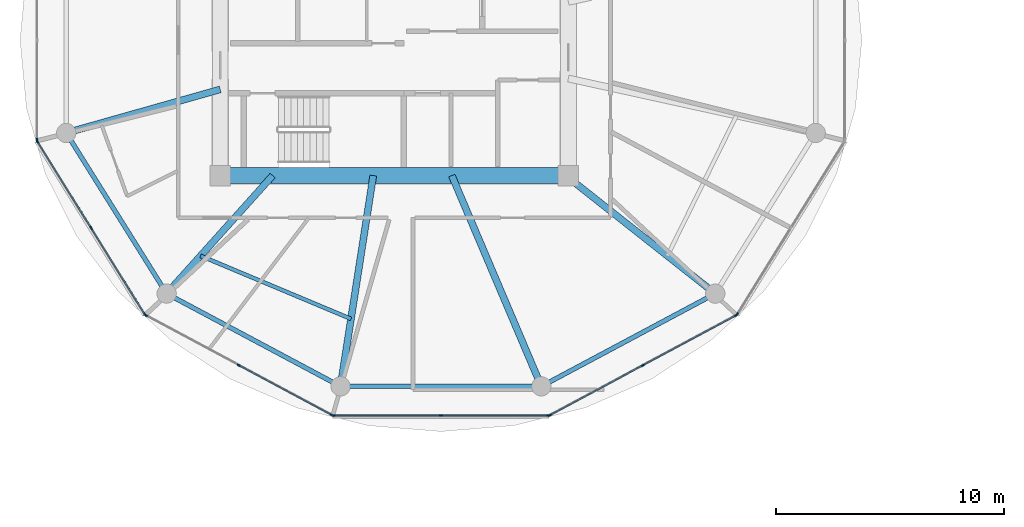
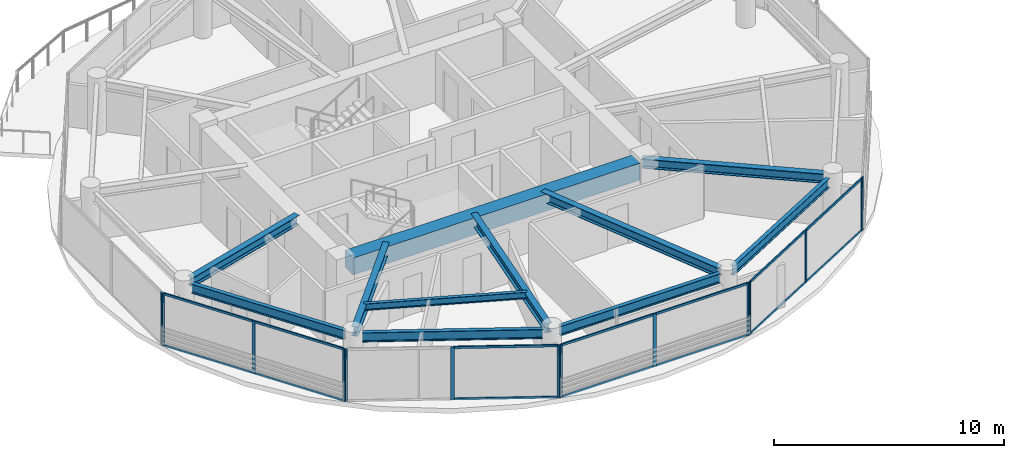
# One storey, part 2 of 23: 28 members, 11 beams, 6 elements without a shape of their own.
"""IFC4 building model written with IfcOpenShell, lengths in metres."""

import ifcopenshell
import ifcopenshell.guid

model = None  # the IFC model being written
_history = None  # IfcOwnerHistory: only IFC2X3 demands one
_inside = {}  # id of a spatial element -> (the spatial element, [elements in it])
_under = {}  # id of a project, library or spatial element -> (it, [spatial elements below it])
_declared = {}  # id of a project -> (the project, [libraries it declares])
_typed = {}  # id of a type object -> (the type object, [elements of that type])
_made_of = {}  # id of a material, layer set ... -> (it, [elements and type objects made of it])


def new_model(schema):
    """Start an empty IFC model of exactly this schema.

    Asked for "IFC4X3", IfcOpenShell would pick the latest addendum, in which some entities
    have other attributes; the version numbers below select the first issue.
    IFC2X3 requires an IfcOwnerHistory on every rooted entity: one is made here for all.
    """
    global model, _history
    if schema == "IFC4X3":
        model = ifcopenshell.file(schema_version=(4, 3, 0, 0))
    else:
        model = ifcopenshell.file(schema=schema)
    _inside.clear()
    _under.clear()
    _declared.clear()
    _typed.clear()
    _made_of.clear()
    _history = None
    if model.schema == "IFC2X3":
        org = make("IfcOrganization", Name="unknown")
        user = make(
            "IfcPersonAndOrganization",
            ThePerson=make("IfcPerson", FamilyName="unknown"),
            TheOrganization=org,
        )
        app = make(
            "IfcApplication",
            ApplicationDeveloper=org,
            Version="unknown",
            ApplicationFullName="unknown",
            ApplicationIdentifier="unknown",
        )
        _history = make(
            "IfcOwnerHistory",
            OwningUser=user,
            OwningApplication=app,
            ChangeAction="ADDED",
            CreationDate=0,
        )
    return model


def make(cls, **values):
    """One entity of the class cls with the attributes given. An attribute that is None is left unset."""
    return model.create_entity(
        cls, **{name: value for name, value in values.items() if value is not None}
    )


def rooted(cls, **values):
    """An entity with a GlobalId (a new one), such as an element, a storey or a relation."""
    return make(cls, GlobalId=ifcopenshell.guid.new(), OwnerHistory=_history, **values)


def si_unit(unit_type, name, prefix=None):
    """IfcSIUnit, for example si_unit("LENGTHUNIT", "METRE", prefix="MILLI")."""
    return make("IfcSIUnit", UnitType=unit_type, Prefix=prefix, Name=name)


def assignment(units):
    """IfcUnitAssignment: the units of a project."""
    return None if units is None else make("IfcUnitAssignment", Units=units)


def point(xyz):
    """IfcCartesianPoint."""
    return None if xyz is None else make("IfcCartesianPoint", Coordinates=xyz)


def direction(xyz):
    """IfcDirection."""
    return None if xyz is None else make("IfcDirection", DirectionRatios=xyz)


def frame(location, z_axis=None, x_axis=None):
    """IfcAxis2Placement3D, a coordinate frame: its origin and axes. An axis left out is left unset."""
    return make(
        "IfcAxis2Placement3D",
        Location=point(location),
        Axis=direction(z_axis),
        RefDirection=direction(x_axis),
    )


def frame_2d(location, x_axis=None):
    """IfcAxis2Placement2D, a coordinate frame in the plane: its origin and x axis."""
    return make(
        "IfcAxis2Placement2D", Location=point(location), RefDirection=direction(x_axis)
    )


def origin():
    """The frame at (0, 0, 0) with its axes left unset."""
    return frame((0.0, 0.0, 0.0))


def origin_2d():
    """The frame at (0, 0) in the plane with its x axis left unset."""
    return frame_2d((0.0, 0.0))


def place(relative_to, where):
    """IfcLocalPlacement: puts the frame where relative to a parent placement (None: the world)."""
    return make(
        "IfcLocalPlacement", PlacementRelTo=relative_to, RelativePlacement=where
    )


def context(
    kind, dimensions, precision=None, world=None, true_north=None, identifier=None
):
    """IfcGeometricRepresentationContext, for example the 3D "Model" context."""
    return make(
        "IfcGeometricRepresentationContext",
        ContextIdentifier=identifier,
        ContextType=kind,
        CoordinateSpaceDimension=dimensions,
        Precision=precision,
        WorldCoordinateSystem=world,
        TrueNorth=true_north,
    )


def subcontext(parent, identifier, kind, view, scale=None):
    """IfcGeometricRepresentationSubContext, for example "Body" below "Model"."""
    return make(
        "IfcGeometricRepresentationSubContext",
        ContextIdentifier=identifier,
        ContextType=kind,
        ParentContext=parent,
        TargetScale=scale,
        TargetView=view,
    )


def project(units=None, contexts=None):
    """IfcProject with its units and contexts."""
    return rooted(
        "IfcProject",
        Name="project",
        RepresentationContexts=contexts,
        UnitsInContext=assignment(units),
    )


def spatial(cls, under=None, at=None, **own):
    """A site, building, storey or space (cls), placed at a placement, below another one or the project."""
    s = rooted(cls, ObjectPlacement=at, **own)
    if under is not None:
        _under.setdefault(under.id(), (under, []))[1].append(s)
    return s


def profile(cls, at=None, kind="AREA", **sizes):
    """A parametric profile (cls). Its sizes go by their IFC names, for example OverallWidth=200.0."""
    return make(cls, ProfileType=kind, Position=at, **sizes)


def rectangle(**sizes):
    """IfcRectangleProfileDef."""
    return profile("IfcRectangleProfileDef", **sizes)


def i_section(**sizes):
    """IfcIShapeProfileDef."""
    return profile("IfcIShapeProfileDef", **sizes)


def extrude(swept, where, along, depth):
    """IfcExtrudedAreaSolid: the profile swept, set in the frame where, extruded along a direction by depth."""
    return make(
        "IfcExtrudedAreaSolid",
        SweptArea=swept,
        Position=where,
        ExtrudedDirection=direction(along),
        Depth=depth,
    )


def shape(context_of_items, identifier, shape_type, items):
    """IfcShapeRepresentation: the items that make up one representation, for example the "Body"."""
    return make(
        "IfcShapeRepresentation",
        ContextOfItems=context_of_items,
        RepresentationIdentifier=identifier,
        RepresentationType=shape_type,
        Items=items,
    )


def source(mapping_origin, context_of_items, identifier, shape_type, items):
    """IfcRepresentationMap: a shape defined once, which mapped items show again and again."""
    return make(
        "IfcRepresentationMap",
        MappingOrigin=mapping_origin,
        MappedRepresentation=shape(context_of_items, identifier, shape_type, items),
    )


def transform(
    local_origin,
    x_axis=None,
    y_axis=None,
    z_axis=None,
    scale=None,
    scale2=None,
    scale3=None,
    uniform=True,
):
    """IfcCartesianTransformationOperator3D, or its non-uniform kind. x_axis, y_axis, z_axis: its Axis1, 2, 3."""
    if uniform:
        return make(
            "IfcCartesianTransformationOperator3D",
            Axis1=direction(x_axis),
            Axis2=direction(y_axis),
            LocalOrigin=point(local_origin),
            Scale=scale,
            Axis3=direction(z_axis),
        )
    return make(
        "IfcCartesianTransformationOperator3DnonUniform",
        Axis1=direction(x_axis),
        Axis2=direction(y_axis),
        LocalOrigin=point(local_origin),
        Scale=scale,
        Axis3=direction(z_axis),
        Scale2=scale2,
        Scale3=scale3,
    )


def mapped(mapping_source, mapping_target):
    """IfcMappedItem: shows the shape of a source again, moved by a transform."""
    return make(
        "IfcMappedItem", MappingSource=mapping_source, MappingTarget=mapping_target
    )


def material(Name=None, Category=None):
    """IfcMaterial."""
    return make("IfcMaterial", Name=Name, Category=Category)


def layer(
    of_material, thickness, ventilated=None, Name=None, Category=None, Priority=None
):
    """IfcMaterialLayer: one layer of a wall or slab, of a material (None: an air gap)."""
    return make(
        "IfcMaterialLayer",
        Material=of_material,
        LayerThickness=thickness,
        IsVentilated=ventilated,
        Name=Name,
        Category=Category,
        Priority=Priority,
    )


def layer_set(layers, Name=None):
    """IfcMaterialLayerSet."""
    return make("IfcMaterialLayerSet", MaterialLayers=layers, LayerSetName=Name)


def material_profile(
    of_material, cross_section, Name=None, Category=None, Priority=None
):
    """IfcMaterialProfile: a cross section and its material."""
    return make(
        "IfcMaterialProfile",
        Name=Name,
        Material=of_material,
        Profile=cross_section,
        Priority=Priority,
        Category=Category,
    )


def profile_set(profiles, Name=None, composite=None):
    """IfcMaterialProfileSet."""
    return make(
        "IfcMaterialProfileSet",
        Name=Name,
        MaterialProfiles=profiles,
        CompositeProfile=composite,
    )


def made_of(thing, what):
    """Note that an element or type object is made of a material, layer set ...; save() writes the relation."""
    if what is not None:
        _made_of.setdefault(what.id(), (what, []))[1].append(thing)
    return thing


def type_object(cls, material=None, **own):
    """A type object (cls), such as IfcWallType, which elements share."""
    return made_of(rooted(cls, **own), material)


def type_shapes(of_type, sources):
    """Give a type object the sources (RepresentationMaps) that its elements show as mapped items."""
    of_type.RepresentationMaps = sources


def element(
    cls,
    number,
    at=None,
    inside=None,
    cuts=None,
    type_object=None,
    material=None,
    context=None,
    identifier="Body",
    shape_type=None,
    held_by="IfcProductDefinitionShape",
    body=None,
    shapes=None,
    **own,
):
    """One element of the class cls, such as IfcWall. Its Tag is "e" and its number.

    at: its placement. inside: the storey or other place that contains it. cuts: it is an
    opening in that element (IfcRelVoidsElement). A single representation is given by context,
    identifier, shape_type and body (its items); several are given by shapes. held_by: the class
    of the entity that holds the representations. save() writes the other relations.
    """
    e = rooted(cls, Tag="e%d" % number, ObjectPlacement=at, **own)
    if body is not None:
        shapes = [shape(context, identifier, shape_type, body)]
    if shapes is not None:
        e.Representation = make(held_by, Representations=shapes)
    if inside is not None:
        _inside.setdefault(inside.id(), (inside, []))[1].append(e)
    if cuts is not None:
        rooted(
            "IfcRelVoidsElement", RelatingBuildingElement=cuts, RelatedOpeningElement=e
        )
    if type_object is not None:
        _typed.setdefault(type_object.id(), (type_object, []))[1].append(e)
    return made_of(e, material)


def aggregate(whole, parts):
    """IfcRelAggregates: a whole, such as a stair, and the parts it consists of."""
    return rooted("IfcRelAggregates", RelatingObject=whole, RelatedObjects=parts)


def save(model, path):
    """Write the relations noted so far, then the file.

    IfcRelAggregates (storeys below a building ...), IfcRelContainedInSpatialStructure (elements
    in a storey), IfcRelDefinesByType, IfcRelAssociatesMaterial and IfcRelDeclares: one each for
    every whole, place, type object, material and project.
    """
    for whole, parts in _under.values():
        aggregate(whole, parts)
    for where, things in _inside.values():
        rooted(
            "IfcRelContainedInSpatialStructure",
            RelatedElements=things,
            RelatingStructure=where,
        )
    for kind, things in _typed.values():
        rooted("IfcRelDefinesByType", RelatedObjects=things, RelatingType=kind)
    for what, things in _made_of.values():
        rooted("IfcRelAssociatesMaterial", RelatedObjects=things, RelatingMaterial=what)
    for by, libraries in _declared.values():
        rooted("IfcRelDeclares", RelatingContext=by, RelatedDefinitions=libraries)
    model.write(path)


model = new_model("IFC4")

# Units and contexts
model_context = context("Model", 3, precision=1e-05, world=origin(), true_north=direction((0.0, 1.0)))
body_context = subcontext(model_context, "Body", "Model", "MODEL_VIEW")
ifc_project = project(units=[si_unit("LENGTHUNIT", "METRE"), si_unit("AREAUNIT", "SQUARE_METRE"), si_unit("VOLUMEUNIT", "CUBIC_METRE"), si_unit("PLANEANGLEUNIT", "RADIAN"), si_unit("MASSUNIT", "GRAM", prefix="KILO")], contexts=[model_context])

# Site, building, storey
site_placement = place(None, origin())
site = spatial("IfcSite", under=ifc_project, at=site_placement, CompositionType="ELEMENT")
building_placement = place(site_placement, origin())
building = spatial("IfcBuilding", under=site, at=building_placement, Name="Norrkilde Senior Care Towers", CompositionType="ELEMENT")
storey_placement = place(building_placement, frame((0.0, 0.0, 81.0)))
storey = spatial("IfcBuildingStorey", under=building, at=storey_placement, Name="L24", CompositionType="ELEMENT", Elevation=81.0)

# Beams
ifc_material_1 = material(Name="Concrete C60/75", Category="concrete")
ifc_material_profile_1 = material_profile(ifc_material_1, rectangle(XDim=0.699951171875, YDim=0.89990234375, at=origin_2d()), Name="RC BM 700x900")
ifc_profile_set_1 = profile_set([ifc_material_profile_1], Name="Concrete C60/75")
beam_type_1 = type_object("IfcBeamType", Name="Core Coupling Girder 700x900", PredefinedType="USERDEFINED", material=ifc_profile_set_1)
shared_shape_1 = source(origin(), body_context, "Body", "SweptSolid", [
    extrude(rectangle(XDim=0.699951171875, YDim=0.89990234375, at=origin_2d()), origin(), (0.0, 0.0, 1.0), 14.43994140625),
])
type_shapes(beam_type_1, [shared_shape_1])
beam_1_placement = place(storey_placement, frame((-35.219970703125, -5.949951171875, 2.340087890625), z_axis=(1.0, 0.0, 0.0), x_axis=(0.0, 1.0, 0.0)))
element("IfcBeam", 1, at=beam_1_placement, inside=storey, type_object=beam_type_1, Name="L24 Core W S Coupling Girder", ObjectType="GIRDER", PredefinedType="USERDEFINED", context=body_context, shape_type="MappedRepresentation", body=[
    mapped(shared_shape_1, transform((0.0, 0.0, 0.0), x_axis=(1.0, 0.0, 0.0), y_axis=(0.0, 1.0, 0.0), z_axis=(0.0, 0.0, 1.0), scale=1.0)),
])
ifc_material_2 = material(Name="Steel S355", Category="steel")
ifc_material_profile_2 = material_profile(ifc_material_2, i_section(OverallWidth=0.199951171875, OverallDepth=0.5, WebThickness=0.01025390625, FlangeThickness=0.01611328125, FilletRadius=0.02099609375, at=origin_2d()), Name="IPE 500")
ifc_profile_set_2 = profile_set([ifc_material_profile_2], Name="Steel S355")
beam_type_2 = type_object("IfcBeamType", Name="Perimeter Ring Spandrel Z2 IPE500", PredefinedType="SPANDREL", material=ifc_profile_set_2)
shared_shape_2 = source(origin(), body_context, "Body", "SweptSolid", [
    extrude(i_section(OverallWidth=0.199951171875, OverallDepth=0.5, WebThickness=0.01025390625, FlangeThickness=0.01611328125, FilletRadius=0.02099609375, at=origin_2d()), origin(), (0.0, 0.0, 1.0), 7.892333984375),
])
for number, where, z_axis, x_axis, name in (
    (2, (-37.66650390625, -11.318115234375, 2.5400390625), (0.882350372282, -0.47059305194, 0.0), (0.47059305194, 0.882350372282, 0.0), "L24 Drum W Perimeter Spandrel 08"),
    (3, (-21.197509765625, -15.0322265625, 2.5400390625), (0.882350372282, 0.47059305194, 0.0), (-0.47059305194, 0.882350372282, 0.0), "L24 Drum W Perimeter Spandrel 10"),
):
    element("IfcBeam", number, at=place(storey_placement, frame(where, z_axis=z_axis, x_axis=x_axis)), inside=storey, type_object=beam_type_2, Name=name, PredefinedType="SPANDREL", context=body_context, shape_type="MappedRepresentation", body=[
        mapped(shared_shape_2, transform((0.0, 0.0, 0.0), x_axis=(1.0, 0.0, 0.0), y_axis=(0.0, 1.0, 0.0), z_axis=(0.0, 0.0, 1.0), scale=1.0)),
    ])
ifc_material_profile_3 = material_profile(ifc_material_2, i_section(OverallWidth=0.300048828125, OverallDepth=0.5, WebThickness=0.014404296875, FlangeThickness=0.028076171875, FilletRadius=0.027099609375, at=origin_2d()), Name="HEB 500")
ifc_profile_set_3 = profile_set([ifc_material_profile_3], Name="Steel S355")
beam_type_3 = type_object("IfcBeamType", Name="Radial Floor Beam Z2 HEB500", PredefinedType="BEAM", material=ifc_profile_set_3)
shared_shape_3 = source(origin(), body_context, "Body", "SweptSolid", [
    extrude(i_section(OverallWidth=0.300048828125, OverallDepth=0.5, WebThickness=0.014404296875, FlangeThickness=0.028076171875, FilletRadius=0.027099609375, at=origin_2d()), origin(), (0.0, 0.0, 1.0), 7.985595703125),
])
beam_2_placement = place(storey_placement, frame((-20.463623046875, -5.949951171875, 2.5400390625), z_axis=(0.784858505144, -0.619675017169, 0.0), x_axis=(0.619675017169, 0.784858505144, 0.0)))
element("IfcBeam", 4, at=beam_2_placement, inside=storey, type_object=beam_type_3, Name="L24 Drum W Radial Floor Beam 11", PredefinedType="BEAM", context=body_context, shape_type="MappedRepresentation", body=[
    mapped(shared_shape_3, transform((0.0, 0.0, 0.0), x_axis=(1.0, 0.0, 0.0), y_axis=(0.0, 1.0, 0.0), z_axis=(0.0, 0.0, 1.0), scale=1.0)),
])
shared_shape_4 = source(origin(), body_context, "Body", "SweptSolid", [
    extrude(i_section(OverallWidth=0.199951171875, OverallDepth=0.5, WebThickness=0.01025390625, FlangeThickness=0.01611328125, FilletRadius=0.02099609375, at=origin_2d()), origin(), (0.0, 0.0, 1.0), 8.0556640625),
])
beam_3_placement = place(storey_placement, frame((-29.977783203125, -15.21337890625, 2.5400390625), z_axis=(1.0, 0.0, 0.0), x_axis=(0.0, 1.0, 0.0)))
element("IfcBeam", 5, at=beam_3_placement, inside=storey, type_object=beam_type_2, Name="L24 Drum W Perimeter Spandrel 09", PredefinedType="SPANDREL", context=body_context, shape_type="MappedRepresentation", body=[
    mapped(shared_shape_4, transform((0.0, 0.0, 0.0), x_axis=(1.0, 0.0, 0.0), y_axis=(0.0, 1.0, 0.0), z_axis=(0.0, 0.0, 1.0), scale=1.0)),
])
shared_shape_5 = source(origin(), body_context, "Body", "SweptSolid", [
    extrude(i_section(OverallWidth=0.300048828125, OverallDepth=0.5, WebThickness=0.014404296875, FlangeThickness=0.028076171875, FilletRadius=0.027099609375, at=origin_2d()), origin(), (0.0, 0.0, 1.0), 9.679443359375),
])
beam_4_placement = place(storey_placement, frame((-25.472412109375, -5.949951171875, 2.5400390625), z_axis=(0.390998033479, -0.920391513333, 0.0), x_axis=(0.920391513333, 0.390998033479, 0.0)))
element("IfcBeam", 6, at=beam_4_placement, inside=storey, type_object=beam_type_3, Name="L24 Drum W Radial Floor Beam 10", PredefinedType="BEAM", context=body_context, shape_type="MappedRepresentation", body=[
    mapped(shared_shape_5, transform((0.0, 0.0, 0.0), x_axis=(1.0, 0.0, 0.0), y_axis=(0.0, 1.0, 0.0), z_axis=(0.0, 0.0, 1.0), scale=1.0)),
])
shared_shape_6 = source(origin(), body_context, "Body", "SweptSolid", [
    extrude(i_section(OverallWidth=0.300048828125, OverallDepth=0.5, WebThickness=0.014404296875, FlangeThickness=0.028076171875, FilletRadius=0.027099609375, at=origin_2d()), origin(), (0.0, 0.0, 1.0), 8.989501953125),
])
beam_5_placement = place(storey_placement, frame((-28.924072265625, -5.949951171875, 2.5400390625), z_axis=(-0.153471298636, -0.988153105796, 0.0), x_axis=(0.988153105796, -0.153471298636, 0.0)))
element("IfcBeam", 7, at=beam_5_placement, inside=storey, type_object=beam_type_3, Name="L24 Drum W Radial Floor Beam 09", PredefinedType="BEAM", context=body_context, shape_type="MappedRepresentation", body=[
    mapped(shared_shape_6, transform((0.0, 0.0, 0.0), x_axis=(1.0, 0.0, 0.0), y_axis=(0.0, 1.0, 0.0), z_axis=(0.0, 0.0, 1.0), scale=1.0)),
])
shared_shape_7 = source(origin(), body_context, "Body", "SweptSolid", [
    extrude(i_section(OverallWidth=0.199951171875, OverallDepth=0.5, WebThickness=0.01025390625, FlangeThickness=0.01611328125, FilletRadius=0.02099609375, at=origin_2d()), origin(), (0.0, 0.0, 1.0), 7.556396484375),
])
type_shapes(beam_type_2, [shared_shape_2, shared_shape_4, shared_shape_7])
beam_6_placement = place(storey_placement, frame((-42.215087890625, -4.40283203125, 2.5400390625), z_axis=(0.530004748437, -0.847994673706, 0.0), x_axis=(0.847994673706, 0.530004748437, 0.0)))
element("IfcBeam", 8, at=beam_6_placement, inside=storey, type_object=beam_type_2, Name="L24 Drum W Perimeter Spandrel 07", PredefinedType="SPANDREL", context=body_context, shape_type="MappedRepresentation", body=[
    mapped(shared_shape_7, transform((0.0, 0.0, 0.0), x_axis=(1.0, 0.0, 0.0), y_axis=(0.0, 1.0, 0.0), z_axis=(0.0, 0.0, 1.0), scale=1.0)),
])
shared_shape_8 = source(origin(), body_context, "Body", "SweptSolid", [
    extrude(i_section(OverallWidth=0.300048828125, OverallDepth=0.5, WebThickness=0.014404296875, FlangeThickness=0.028076171875, FilletRadius=0.027099609375, at=origin_2d()), origin(), (0.0, 0.0, 1.0), 6.587890625),
])
beam_7_placement = place(storey_placement, frame((-33.345947265625, -5.949951171875, 2.5400390625), z_axis=(-0.668315438605, -0.743877997068, 0.0), x_axis=(0.743877997068, -0.668315438605, 0.0)))
element("IfcBeam", 9, at=beam_7_placement, inside=storey, type_object=beam_type_3, Name="L24 Drum W Radial Floor Beam 08", PredefinedType="BEAM", context=body_context, shape_type="MappedRepresentation", body=[
    mapped(shared_shape_8, transform((0.0, 0.0, 0.0), x_axis=(1.0, 0.0, 0.0), y_axis=(0.0, 1.0, 0.0), z_axis=(0.0, 0.0, 1.0), scale=1.0)),
])
shared_shape_9 = source(origin(), body_context, "Body", "SweptSolid", [
    extrude(i_section(OverallWidth=0.300048828125, OverallDepth=0.5, WebThickness=0.014404296875, FlangeThickness=0.028076171875, FilletRadius=0.027099609375, at=origin_2d()), origin(), (0.0, 0.0, 1.0), 6.6494140625),
])
type_shapes(beam_type_3, [shared_shape_3, shared_shape_5, shared_shape_6, shared_shape_8, shared_shape_9])
beam_8_placement = place(storey_placement, frame((-35.64990234375, -2.162841796875, 2.5400390625), z_axis=(-0.962289138357, -0.27202870106, 0.0), x_axis=(0.27202870106, -0.962289138357, 0.0)))
element("IfcBeam", 10, at=beam_8_placement, inside=storey, type_object=beam_type_3, Name="L24 Drum W Radial Floor Beam 07", PredefinedType="BEAM", context=body_context, shape_type="MappedRepresentation", body=[
    mapped(shared_shape_9, transform((0.0, 0.0, 0.0), x_axis=(1.0, 0.0, 0.0), y_axis=(0.0, 1.0, 0.0), z_axis=(0.0, 0.0, 1.0), scale=1.0)),
])
ifc_material_profile_4 = material_profile(ifc_material_2, i_section(OverallWidth=0.169921875, OverallDepth=0.360107421875, WebThickness=0.008056640625, FlangeThickness=0.0126953125, FilletRadius=0.01806640625, at=origin_2d()), Name="IPE 360")
ifc_profile_set_4 = profile_set([ifc_material_profile_4], Name="Steel S355")
beam_type_4 = type_object("IfcBeamType", Name="Secondary Floor Joist IPE360", PredefinedType="JOIST", material=ifc_profile_set_4)
shared_shape_10 = source(origin(), body_context, "Body", "SweptSolid", [
    extrude(i_section(OverallWidth=0.169921875, OverallDepth=0.360107421875, WebThickness=0.008056640625, FlangeThickness=0.0126953125, FilletRadius=0.01806640625, at=origin_2d()), origin(), (0.0, 0.0, 1.0), 7.169921875),
])
type_shapes(beam_type_4, [shared_shape_10])
beam_9_placement = place(storey_placement, frame((-36.514892578125, -9.47705078125, 2.610107421875), z_axis=(0.922240600393, -0.386616444279, 0.0), x_axis=(0.386616444279, 0.922240600393, 0.0)))
element("IfcBeam", 11, at=beam_9_placement, inside=storey, type_object=beam_type_4, Name="L24 Drum W Secondary Floor Joist 3", PredefinedType="JOIST", context=body_context, shape_type="MappedRepresentation", body=[
    mapped(shared_shape_10, transform((0.0, 0.0, 0.0), x_axis=(1.0, 0.0, 0.0), y_axis=(0.0, 1.0, 0.0), z_axis=(0.0, 0.0, 1.0), scale=1.0)),
])

# Curtain wall, member
ifc_material_3 = material(Name="Triple Low-E Insulated Glazing", Category="glass")
ifc_layer = layer(ifc_material_3, 0.195068359375)
ifc_layer_set = layer_set([ifc_layer], Name="Triple Low-E Insulated Glazing")
curtain_wall_type = type_object("IfcCurtainWallType", Name="CW3 Zone 2 Assisted Living Curtain Wall", PredefinedType="NOTDEFINED", material=ifc_layer_set)
curtain_wall_1_placement = place(storey_placement, origin())
curtain_wall_1 = element("IfcCurtainWall", 12, at=curtain_wall_1_placement, inside=storey, type_object=curtain_wall_type, Name="L24 Drum W Curtain Wall 05", PredefinedType="NOTDEFINED")
ifc_material_4 = material(Name="Anodised Aluminium", Category="aluminium")
ifc_material_profile_5 = material_profile(ifc_material_4, rectangle(XDim=0.06494140625, YDim=0.159912109375, at=origin_2d()), Name="ALU MULL 65x160")
ifc_profile_set_5 = profile_set([ifc_material_profile_5], Name="Anodised Aluminium")
member_type_1 = type_object("IfcMemberType", Name="Curtain Wall Mullion Z1-Z2 65x160", PredefinedType="MULLION", material=ifc_profile_set_5)
shared_shape_11 = source(origin(), body_context, "Body", "SweptSolid", [
    extrude(rectangle(XDim=0.06494140625, YDim=0.159912109375, at=origin_2d()), origin(), (0.0, 0.0, 1.0), 2.7900390625),
])
type_shapes(member_type_1, [shared_shape_11])
member_1_placement = place(storey_placement, frame((-43.70361328125, -4.38818359375, 0.0), z_axis=(0.0, 0.0, 1.0), x_axis=(-1.0, 0.0, 0.0)))
member_1 = element("IfcMember", 13, at=member_1_placement, type_object=member_type_1, Name="CW-3 mullion 1", PredefinedType="MULLION", context=body_context, shape_type="MappedRepresentation", body=[
    mapped(shared_shape_11, transform((0.0, 0.0, 0.0), x_axis=(1.0, 0.0, 0.0), y_axis=(0.0, 1.0, 0.0), z_axis=(0.0, 0.0, 1.0), scale=1.0)),
])
aggregate(curtain_wall_1, [member_1])

# Curtain wall, members
curtain_wall_2_placement = place(storey_placement, origin())
curtain_wall_2 = element("IfcCurtainWall", 14, at=curtain_wall_2_placement, inside=storey, type_object=curtain_wall_type, Name="L24 Drum W Curtain Wall 06", PredefinedType="NOTDEFINED")
member_2_placement = place(storey_placement, frame((-38.9638671875, -12.0498046875, 0.0), z_axis=(0.0, 0.0, 1.0), x_axis=(-0.849410171862, -0.527733228002, 0.0)))
member_2 = element("IfcMember", 15, at=member_2_placement, type_object=member_type_1, Name="CW-3 mullion 1", PredefinedType="MULLION", context=body_context, shape_type="MappedRepresentation", body=[
    mapped(shared_shape_11, transform((0.0, 0.0, 0.0), x_axis=(1.0, 0.0, 0.0), y_axis=(0.0, 1.0, 0.0), z_axis=(0.0, 0.0, 1.0), scale=1.0)),
])
member_3_placement = place(storey_placement, frame((-41.3251953125, -8.2490234375, 0.0), z_axis=(0.0, 0.0, 1.0), x_axis=(-0.849410171862, -0.527733228002, 0.0)))
member_3 = element("IfcMember", 16, at=member_3_placement, type_object=member_type_1, Name="CW-3 mullion 2", PredefinedType="MULLION", context=body_context, shape_type="MappedRepresentation", body=[
    mapped(shared_shape_11, transform((0.0, 0.0, 0.0), x_axis=(1.0, 0.0, 0.0), y_axis=(0.0, 1.0, 0.0), z_axis=(0.0, 0.0, 1.0), scale=1.0)),
])
member_4_placement = place(storey_placement, frame((-43.6865234375, -4.4482421875, 0.0), z_axis=(0.0, 0.0, 1.0), x_axis=(-0.849410171862, -0.527733228002, 0.0)))
member_4 = element("IfcMember", 17, at=member_4_placement, type_object=member_type_1, Name="CW-3 mullion 3", PredefinedType="MULLION", context=body_context, shape_type="MappedRepresentation", body=[
    mapped(shared_shape_11, transform((0.0, 0.0, 0.0), x_axis=(1.0, 0.0, 0.0), y_axis=(0.0, 1.0, 0.0), z_axis=(0.0, 0.0, 1.0), scale=1.0)),
])

curtain_wall_3_placement = place(storey_placement, origin())
curtain_wall_3 = element("IfcCurtainWall", 18, at=curtain_wall_3_placement, inside=storey, type_object=curtain_wall_type, Name="L24 Drum W Curtain Wall 07", PredefinedType="NOTDEFINED")
member_5_placement = place(storey_placement, frame((-30.73583984375, -16.482666015625, 0.0), z_axis=(0.0, 0.0, 1.0), x_axis=(-0.472769402511, -0.881186184668, 0.0)))
member_5 = element("IfcMember", 19, at=member_5_placement, type_object=member_type_1, Name="CW-3 mullion 1", PredefinedType="MULLION", context=body_context, shape_type="MappedRepresentation", body=[
    mapped(shared_shape_11, transform((0.0, 0.0, 0.0), x_axis=(1.0, 0.0, 0.0), y_axis=(0.0, 1.0, 0.0), z_axis=(0.0, 0.0, 1.0), scale=1.0)),
])
member_6_placement = place(storey_placement, frame((-34.826904296875, -14.28759765625, 0.0), z_axis=(0.0, 0.0, 1.0), x_axis=(-0.472769402511, -0.881186184668, 0.0)))
member_6 = element("IfcMember", 20, at=member_6_placement, type_object=member_type_1, Name="CW-3 mullion 2", PredefinedType="MULLION", context=body_context, shape_type="MappedRepresentation", body=[
    mapped(shared_shape_11, transform((0.0, 0.0, 0.0), x_axis=(1.0, 0.0, 0.0), y_axis=(0.0, 1.0, 0.0), z_axis=(0.0, 0.0, 1.0), scale=1.0)),
])
member_7_placement = place(storey_placement, frame((-38.91796875, -12.0927734375, 0.0), z_axis=(0.0, 0.0, 1.0), x_axis=(-0.472769402511, -0.881186184668, 0.0)))
member_7 = element("IfcMember", 21, at=member_7_placement, type_object=member_type_1, Name="CW-3 mullion 3", PredefinedType="MULLION", context=body_context, shape_type="MappedRepresentation", body=[
    mapped(shared_shape_11, transform((0.0, 0.0, 0.0), x_axis=(1.0, 0.0, 0.0), y_axis=(0.0, 1.0, 0.0), z_axis=(0.0, 0.0, 1.0), scale=1.0)),
])

curtain_wall_4_placement = place(storey_placement, origin())
curtain_wall_4 = element("IfcCurtainWall", 22, at=curtain_wall_4_placement, inside=storey, type_object=curtain_wall_type, Name="L24 Drum W Curtain Wall 08", PredefinedType="NOTDEFINED")
member_8_placement = place(storey_placement, frame((-21.225341796875, -16.498046875, 0.0), z_axis=(0.0, 0.0, 1.0), x_axis=(0.0, -1.0, 0.0)))
member_8 = element("IfcMember", 23, at=member_8_placement, type_object=member_type_1, Name="CW-3 mullion 1", PredefinedType="MULLION", context=body_context, shape_type="MappedRepresentation", body=[
    mapped(shared_shape_11, transform((0.0, 0.0, 0.0), x_axis=(1.0, 0.0, 0.0), y_axis=(0.0, 1.0, 0.0), z_axis=(0.0, 0.0, 1.0), scale=1.0)),
])
member_9_placement = place(storey_placement, frame((-25.949951171875, -16.498046875, 0.0), z_axis=(0.0, 0.0, 1.0), x_axis=(0.0, -1.0, 0.0)))
member_9 = element("IfcMember", 24, at=member_9_placement, type_object=member_type_1, Name="CW-3 mullion 2", PredefinedType="MULLION", context=body_context, shape_type="MappedRepresentation", body=[
    mapped(shared_shape_11, transform((0.0, 0.0, 0.0), x_axis=(1.0, 0.0, 0.0), y_axis=(0.0, 1.0, 0.0), z_axis=(0.0, 0.0, 1.0), scale=1.0)),
])
member_10_placement = place(storey_placement, frame((-30.674560546875, -16.498046875, 0.0), z_axis=(0.0, 0.0, 1.0), x_axis=(0.0, -1.0, 0.0)))
member_10 = element("IfcMember", 25, at=member_10_placement, type_object=member_type_1, Name="CW-3 mullion 3", PredefinedType="MULLION", context=body_context, shape_type="MappedRepresentation", body=[
    mapped(shared_shape_11, transform((0.0, 0.0, 0.0), x_axis=(1.0, 0.0, 0.0), y_axis=(0.0, 1.0, 0.0), z_axis=(0.0, 0.0, 1.0), scale=1.0)),
])

curtain_wall_5_placement = place(storey_placement, origin())
curtain_wall_5 = element("IfcCurtainWall", 26, at=curtain_wall_5_placement, inside=storey, type_object=curtain_wall_type, Name="L24 Drum W Curtain Wall 09", PredefinedType="NOTDEFINED")
member_11_placement = place(storey_placement, frame((-12.98193359375, -12.0927734375, 0.0), z_axis=(0.0, 0.0, 1.0), x_axis=(0.472769402511, -0.881186184668, 0.0)))
member_11 = element("IfcMember", 27, at=member_11_placement, type_object=member_type_1, Name="CW-3 mullion 1", PredefinedType="MULLION", context=body_context, shape_type="MappedRepresentation", body=[
    mapped(shared_shape_11, transform((0.0, 0.0, 0.0), x_axis=(1.0, 0.0, 0.0), y_axis=(0.0, 1.0, 0.0), z_axis=(0.0, 0.0, 1.0), scale=1.0)),
])
member_12_placement = place(storey_placement, frame((-17.0732421875, -14.28759765625, 0.0), z_axis=(0.0, 0.0, 1.0), x_axis=(0.472769402511, -0.881186184668, 0.0)))
member_12 = element("IfcMember", 28, at=member_12_placement, type_object=member_type_1, Name="CW-3 mullion 2", PredefinedType="MULLION", context=body_context, shape_type="MappedRepresentation", body=[
    mapped(shared_shape_11, transform((0.0, 0.0, 0.0), x_axis=(1.0, 0.0, 0.0), y_axis=(0.0, 1.0, 0.0), z_axis=(0.0, 0.0, 1.0), scale=1.0)),
])
member_13_placement = place(storey_placement, frame((-21.164306640625, -16.482666015625, 0.0), z_axis=(0.0, 0.0, 1.0), x_axis=(0.472769402511, -0.881186184668, 0.0)))
member_13 = element("IfcMember", 29, at=member_13_placement, type_object=member_type_1, Name="CW-3 mullion 3", PredefinedType="MULLION", context=body_context, shape_type="MappedRepresentation", body=[
    mapped(shared_shape_11, transform((0.0, 0.0, 0.0), x_axis=(1.0, 0.0, 0.0), y_axis=(0.0, 1.0, 0.0), z_axis=(0.0, 0.0, 1.0), scale=1.0)),
])

# Curtain wall, member
curtain_wall_6_placement = place(storey_placement, origin())
curtain_wall_6 = element("IfcCurtainWall", 30, at=curtain_wall_6_placement, inside=storey, type_object=curtain_wall_type, Name="L24 Drum W Curtain Wall 10", PredefinedType="NOTDEFINED")
member_14_placement = place(storey_placement, frame((-12.936279296875, -12.0498046875, 0.0), z_axis=(0.0, 0.0, 1.0), x_axis=(0.849410171862, -0.527733228002, 0.0)))
member_14 = element("IfcMember", 31, at=member_14_placement, type_object=member_type_1, Name="CW-3 mullion 3", PredefinedType="MULLION", context=body_context, shape_type="MappedRepresentation", body=[
    mapped(shared_shape_11, transform((0.0, 0.0, 0.0), x_axis=(1.0, 0.0, 0.0), y_axis=(0.0, 1.0, 0.0), z_axis=(0.0, 0.0, 1.0), scale=1.0)),
])
aggregate(curtain_wall_6, [member_14])

# Member
ifc_material_profile_6 = material_profile(ifc_material_4, rectangle(XDim=0.06005859375, YDim=0.1201171875, at=origin_2d()), Name="ALU TRAN 60x120")
ifc_profile_set_6 = profile_set([ifc_material_profile_6], Name="Anodised Aluminium")
member_type_2 = type_object("IfcMemberType", Name="Curtain Wall Transom Typical 60x120", PredefinedType="USERDEFINED", material=ifc_profile_set_6)
shared_shape_12 = source(origin(), body_context, "Body", "SweptSolid", [
    extrude(rectangle(XDim=0.06005859375, YDim=0.1201171875, at=origin_2d()), origin(), (0.0, 0.0, 1.0), 4.40966796875),
])
member_15_placement = place(storey_placement, frame((-38.98095703125, -12.022216796875, 0.030029296875), z_axis=(-0.527737675578, 0.849407408594, 0.0), x_axis=(-0.849407408594, -0.527737675578, 0.0)))
member_15 = element("IfcMember", 32, at=member_15_placement, type_object=member_type_2, Name="CW-3 transom 1.1", ObjectType="TRANSOM", PredefinedType="USERDEFINED", context=body_context, shape_type="MappedRepresentation", body=[
    mapped(shared_shape_12, transform((0.0, 0.0, 0.0), x_axis=(1.0, 0.0, 0.0), y_axis=(0.0, 1.0, 0.0), z_axis=(0.0, 0.0, 1.0), scale=1.0)),
])

member_16_placement = place(storey_placement, frame((-38.98095703125, -12.022216796875, 2.760009765625), z_axis=(-0.527737675578, 0.849407408594, 0.0), x_axis=(-0.849407408594, -0.527737675578, 0.0)))
member_16 = element("IfcMember", 33, at=member_16_placement, type_object=member_type_2, Name="CW-3 transom 1.2", ObjectType="TRANSOM", PredefinedType="USERDEFINED", context=body_context, shape_type="MappedRepresentation", body=[
    mapped(shared_shape_12, transform((0.0, 0.0, 0.0), x_axis=(1.0, 0.0, 0.0), y_axis=(0.0, 1.0, 0.0), z_axis=(0.0, 0.0, 1.0), scale=1.0)),
])

member_17_placement = place(storey_placement, frame((-41.34228515625, -8.221435546875, 0.030029296875), z_axis=(-0.527737675578, 0.849407408594, 0.0), x_axis=(-0.849407408594, -0.527737675578, 0.0)))
member_17 = element("IfcMember", 34, at=member_17_placement, type_object=member_type_2, Name="CW-3 transom 2.1", ObjectType="TRANSOM", PredefinedType="USERDEFINED", context=body_context, shape_type="MappedRepresentation", body=[
    mapped(shared_shape_12, transform((0.0, 0.0, 0.0), x_axis=(1.0, 0.0, 0.0), y_axis=(0.0, 1.0, 0.0), z_axis=(0.0, 0.0, 1.0), scale=1.0)),
])

member_18_placement = place(storey_placement, frame((-41.34228515625, -8.221435546875, 2.760009765625), z_axis=(-0.527737675578, 0.849407408594, 0.0), x_axis=(-0.849407408594, -0.527737675578, 0.0)))
member_18 = element("IfcMember", 35, at=member_18_placement, type_object=member_type_2, Name="CW-3 transom 2.2", ObjectType="TRANSOM", PredefinedType="USERDEFINED", context=body_context, shape_type="MappedRepresentation", body=[
    mapped(shared_shape_12, transform((0.0, 0.0, 0.0), x_axis=(1.0, 0.0, 0.0), y_axis=(0.0, 1.0, 0.0), z_axis=(0.0, 0.0, 1.0), scale=1.0)),
])

aggregate(curtain_wall_2, [member_2, member_3, member_4, member_15, member_16, member_17, member_18])

shared_shape_13 = source(origin(), body_context, "Body", "SweptSolid", [
    extrude(rectangle(XDim=0.06005859375, YDim=0.1201171875, at=origin_2d()), origin(), (0.0, 0.0, 1.0), 4.65966796875),
])
member_19_placement = place(storey_placement, frame((-21.2578125, -16.498046875, 0.030029296875), z_axis=(-1.0, 0.0, 0.0), x_axis=(0.0, -1.0, 0.0)))
member_19 = element("IfcMember", 36, at=member_19_placement, type_object=member_type_2, Name="CW-3 transom 1.1", ObjectType="TRANSOM", PredefinedType="USERDEFINED", context=body_context, shape_type="MappedRepresentation", body=[
    mapped(shared_shape_13, transform((0.0, 0.0, 0.0), x_axis=(1.0, 0.0, 0.0), y_axis=(0.0, 1.0, 0.0), z_axis=(0.0, 0.0, 1.0), scale=1.0)),
])

member_20_placement = place(storey_placement, frame((-21.2578125, -16.498046875, 2.760009765625), z_axis=(-1.0, 0.0, 0.0), x_axis=(0.0, -1.0, 0.0)))
member_20 = element("IfcMember", 37, at=member_20_placement, type_object=member_type_2, Name="CW-3 transom 1.2", ObjectType="TRANSOM", PredefinedType="USERDEFINED", context=body_context, shape_type="MappedRepresentation", body=[
    mapped(shared_shape_13, transform((0.0, 0.0, 0.0), x_axis=(1.0, 0.0, 0.0), y_axis=(0.0, 1.0, 0.0), z_axis=(0.0, 0.0, 1.0), scale=1.0)),
])

member_21_placement = place(storey_placement, frame((-25.982421875, -16.498046875, 0.030029296875), z_axis=(-1.0, 0.0, 0.0), x_axis=(0.0, -1.0, 0.0)))
member_21 = element("IfcMember", 38, at=member_21_placement, type_object=member_type_2, Name="CW-3 transom 2.1", ObjectType="TRANSOM", PredefinedType="USERDEFINED", context=body_context, shape_type="MappedRepresentation", body=[
    mapped(shared_shape_13, transform((0.0, 0.0, 0.0), x_axis=(1.0, 0.0, 0.0), y_axis=(0.0, 1.0, 0.0), z_axis=(0.0, 0.0, 1.0), scale=1.0)),
])

member_22_placement = place(storey_placement, frame((-25.982421875, -16.498046875, 2.760009765625), z_axis=(-1.0, 0.0, 0.0), x_axis=(0.0, -1.0, 0.0)))
member_22 = element("IfcMember", 39, at=member_22_placement, type_object=member_type_2, Name="CW-3 transom 2.2", ObjectType="TRANSOM", PredefinedType="USERDEFINED", context=body_context, shape_type="MappedRepresentation", body=[
    mapped(shared_shape_13, transform((0.0, 0.0, 0.0), x_axis=(1.0, 0.0, 0.0), y_axis=(0.0, 1.0, 0.0), z_axis=(0.0, 0.0, 1.0), scale=1.0)),
])

aggregate(curtain_wall_4, [member_8, member_9, member_10, member_19, member_20, member_21, member_22])

shared_shape_14 = source(origin(), body_context, "Body", "SweptSolid", [
    extrude(rectangle(XDim=0.06005859375, YDim=0.1201171875, at=origin_2d()), origin(), (0.0, 0.0, 1.0), 4.57763671875),
])
member_23_placement = place(storey_placement, frame((-13.0107421875, -12.108154296875, 0.030029296875), z_axis=(-0.881192784018, -0.472757101897, 0.0), x_axis=(0.472757101897, -0.881192784018, 0.0)))
member_23 = element("IfcMember", 40, at=member_23_placement, type_object=member_type_2, Name="CW-3 transom 1.1", ObjectType="TRANSOM", PredefinedType="USERDEFINED", context=body_context, shape_type="MappedRepresentation", body=[
    mapped(shared_shape_14, transform((0.0, 0.0, 0.0), x_axis=(1.0, 0.0, 0.0), y_axis=(0.0, 1.0, 0.0), z_axis=(0.0, 0.0, 1.0), scale=1.0)),
])

member_24_placement = place(storey_placement, frame((-13.0107421875, -12.108154296875, 2.760009765625), z_axis=(-0.881192784018, -0.472757101897, 0.0), x_axis=(0.472757101897, -0.881192784018, 0.0)))
member_24 = element("IfcMember", 41, at=member_24_placement, type_object=member_type_2, Name="CW-3 transom 1.2", ObjectType="TRANSOM", PredefinedType="USERDEFINED", context=body_context, shape_type="MappedRepresentation", body=[
    mapped(shared_shape_14, transform((0.0, 0.0, 0.0), x_axis=(1.0, 0.0, 0.0), y_axis=(0.0, 1.0, 0.0), z_axis=(0.0, 0.0, 1.0), scale=1.0)),
])

shared_shape_15 = source(origin(), body_context, "Body", "SweptSolid", [
    extrude(rectangle(XDim=0.06005859375, YDim=0.1201171875, at=origin_2d()), origin(), (0.0, 0.0, 1.0), 4.577880859375),
])
type_shapes(member_type_2, [shared_shape_12, shared_shape_13, shared_shape_14, shared_shape_15])
member_25_placement = place(storey_placement, frame((-30.764404296875, -16.46728515625, 0.030029296875), z_axis=(-0.881182486146, 0.472776296053, 0.0), x_axis=(-0.472776296053, -0.881182486146, 0.0)))
member_25 = element("IfcMember", 42, at=member_25_placement, type_object=member_type_2, Name="CW-3 transom 1.1", ObjectType="TRANSOM", PredefinedType="USERDEFINED", context=body_context, shape_type="MappedRepresentation", body=[
    mapped(shared_shape_15, transform((0.0, 0.0, 0.0), x_axis=(1.0, 0.0, 0.0), y_axis=(0.0, 1.0, 0.0), z_axis=(0.0, 0.0, 1.0), scale=1.0)),
])

member_26_placement = place(storey_placement, frame((-30.764404296875, -16.46728515625, 2.760009765625), z_axis=(-0.881182486146, 0.472776296053, 0.0), x_axis=(-0.472776296053, -0.881182486146, 0.0)))
member_26 = element("IfcMember", 43, at=member_26_placement, type_object=member_type_2, Name="CW-3 transom 1.2", ObjectType="TRANSOM", PredefinedType="USERDEFINED", context=body_context, shape_type="MappedRepresentation", body=[
    mapped(shared_shape_15, transform((0.0, 0.0, 0.0), x_axis=(1.0, 0.0, 0.0), y_axis=(0.0, 1.0, 0.0), z_axis=(0.0, 0.0, 1.0), scale=1.0)),
])

aggregate(curtain_wall_3, [member_5, member_6, member_7, member_25, member_26])

member_27_placement = place(storey_placement, frame((-17.101806640625, -14.302978515625, 0.030029296875), z_axis=(-0.881182486146, -0.472776296053, 0.0), x_axis=(0.472776296053, -0.881182486146, 0.0)))
member_27 = element("IfcMember", 44, at=member_27_placement, type_object=member_type_2, Name="CW-3 transom 2.1", ObjectType="TRANSOM", PredefinedType="USERDEFINED", context=body_context, shape_type="MappedRepresentation", body=[
    mapped(shared_shape_15, transform((0.0, 0.0, 0.0), x_axis=(1.0, 0.0, 0.0), y_axis=(0.0, 1.0, 0.0), z_axis=(0.0, 0.0, 1.0), scale=1.0)),
])

member_28_placement = place(storey_placement, frame((-17.101806640625, -14.302978515625, 2.760009765625), z_axis=(-0.881182486146, -0.472776296053, 0.0), x_axis=(0.472776296053, -0.881182486146, 0.0)))
member_28 = element("IfcMember", 45, at=member_28_placement, type_object=member_type_2, Name="CW-3 transom 2.2", ObjectType="TRANSOM", PredefinedType="USERDEFINED", context=body_context, shape_type="MappedRepresentation", body=[
    mapped(shared_shape_15, transform((0.0, 0.0, 0.0), x_axis=(1.0, 0.0, 0.0), y_axis=(0.0, 1.0, 0.0), z_axis=(0.0, 0.0, 1.0), scale=1.0)),
])

aggregate(curtain_wall_5, [member_11, member_12, member_13, member_23, member_24, member_27, member_28])

save(model, "model.ifc")
